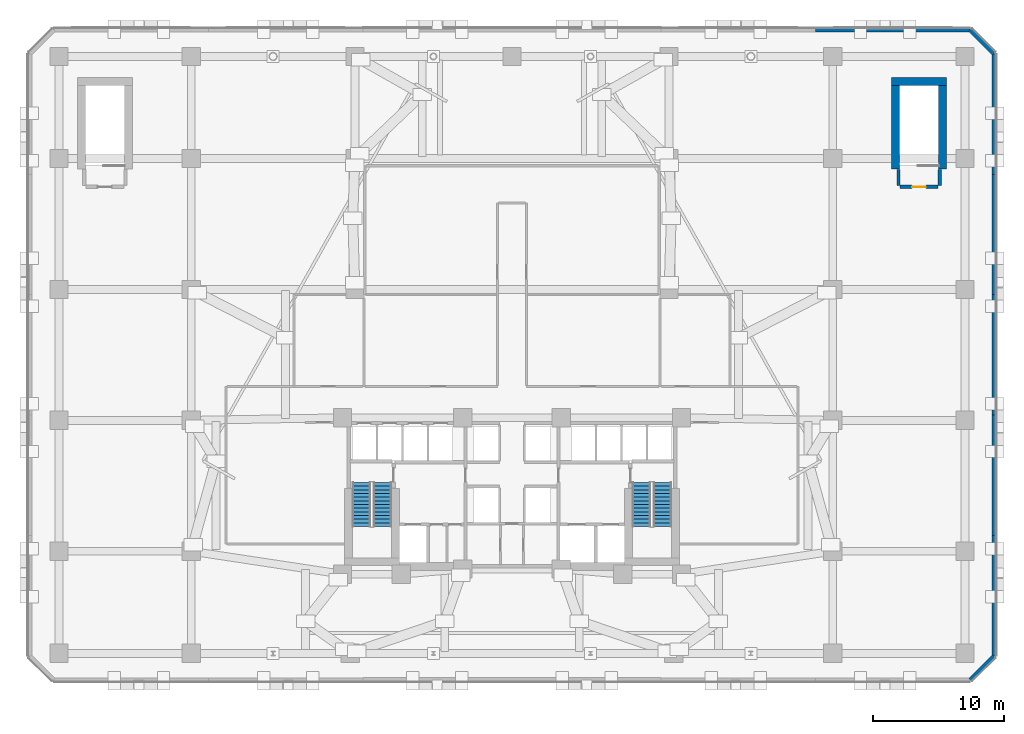
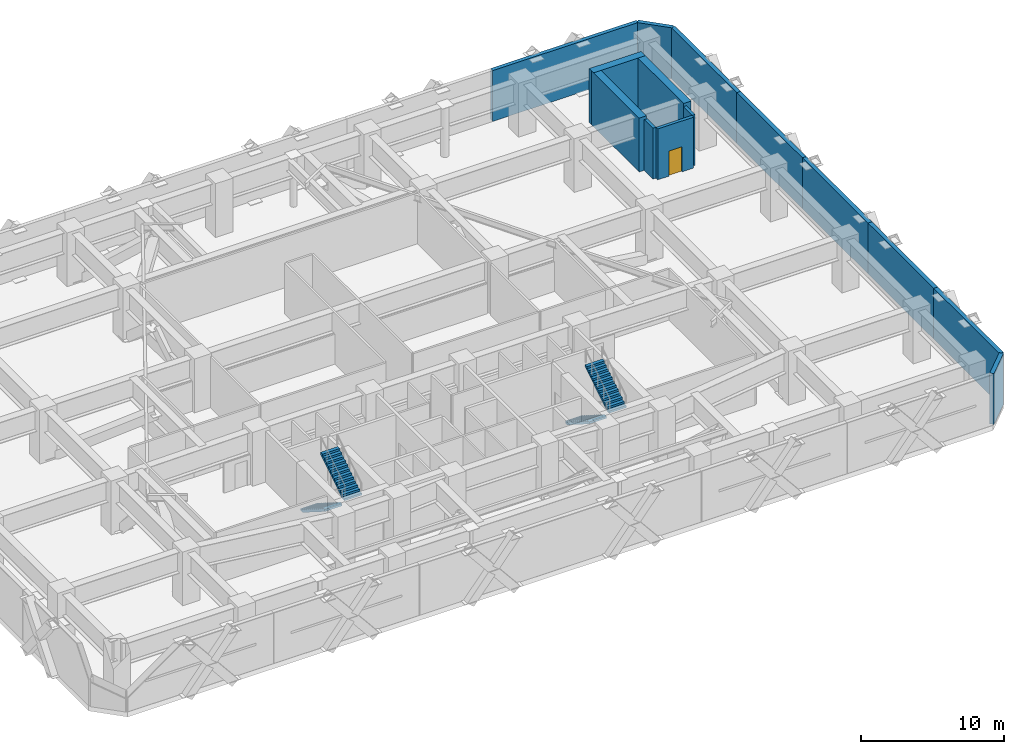
# One storey, part 11 of 14: 14 walls, 4 stair flights, 1 door, 1 opening, 2 elements without a shape of their own.
"""IFC4 building model written with IfcOpenShell, lengths in metres."""

from ifc_helpers import new_model, si_unit, direction, frame, frame_2d, origin, place, context, subcontext, project, spatial, polyline, rectangle, outline, extrude, material, layer, layer_set, type_object, element, fill, aggregate, save


model = new_model("IFC4")

# Units and contexts
model_context = context("Model", 3, precision=1e-05, world=origin(), true_north=direction((0.0, 1.0)))
body_context = subcontext(model_context, "Body", "Model", "MODEL_VIEW")
ifc_project = project(units=[si_unit("LENGTHUNIT", "METRE"), si_unit("AREAUNIT", "SQUARE_METRE"), si_unit("VOLUMEUNIT", "CUBIC_METRE"), si_unit("PLANEANGLEUNIT", "RADIAN"), si_unit("MASSUNIT", "GRAM", prefix="KILO")], contexts=[model_context])

# Site, building, storey
site_placement = place(None, origin())
site = spatial("IfcSite", under=ifc_project, at=site_placement, CompositionType="ELEMENT")
building_placement = place(site_placement, origin())
building = spatial("IfcBuilding", under=site, at=building_placement, Name="Quenlor Broadcast Tower", CompositionType="ELEMENT")
storey_placement = place(building_placement, frame((0.0, 0.0, 23.0)))
storey = spatial("IfcBuildingStorey", under=building, at=storey_placement, Name="L05", CompositionType="ELEMENT", Elevation=23.0)

# Walls
ifc_material_1 = material(Name="Concrete C65/80", Category="concrete")
ifc_layer_1 = layer(ifc_material_1, 0.60009765625)
ifc_layer_set_1 = layer_set([ifc_layer_1], Name="Core Concrete C65/80 Shear Wall 600")
wall_type_1 = type_object("IfcWallType", Name="Core Concrete C65/80 Shear Wall 600", PredefinedType="SHEAR", material=ifc_layer_set_1)
wall_1_placement = place(storey_placement, frame((29.0, 20.89990234375, 0.0), z_axis=(0.0, 0.0, 1.0), x_axis=(1.0, 0.0, 0.0)))
element("IfcWall", 1, at=wall_1_placement, inside=storey, type_object=wall_type_1, Name="L05 Core Shear Wall ST4-N", PredefinedType="SHEAR", context=body_context, shape_type="SweptSolid", body=[
    extrude(rectangle(XDim=4.199951171875, YDim=0.60009765625, at=frame_2d((2.10009765625, 0.0))), origin(), (0.0, 0.0, 1.0), 4.60009765625),
])
for number, where, z_axis, x_axis, name in (
    (2, (29.300048828125, 14.199951171875, 0.0), (0.0, 0.0, 1.0), (0.0, 1.0, 0.0), "L05 Core Shear Wall ST4-W"),
    (3, (32.89990234375, 14.199951171875, 0.0), (0.0, 0.0, 1.0), (0.0, 1.0, 0.0), "L05 Core Shear Wall ST4-E"),
):
    element("IfcWall", number, at=place(storey_placement, frame(where, z_axis=z_axis, x_axis=x_axis)), inside=storey, type_object=wall_type_1, Name=name, PredefinedType="SHEAR", context=body_context, shape_type="SweptSolid", body=[
        extrude(rectangle(XDim=6.699951171875, YDim=0.60009765625, at=frame_2d((3.35009765625, 0.0))), origin(), (0.0, 0.0, 1.0), 4.60009765625),
    ])

# Wall, opening, door
ifc_material_2 = material(Name="Concrete C40/50", Category="concrete")
ifc_layer_2 = layer(ifc_material_2, 0.25)
ifc_layer_set_2 = layer_set([ifc_layer_2], Name="Fire Rated Concrete C40/50 Core Wall 250")
wall_type_2 = type_object("IfcWallType", Name="Fire Rated Concrete C40/50 Core Wall 250", PredefinedType="PARTITIONING", material=ifc_layer_set_2)
wall_2_placement = place(storey_placement, frame((29.64990234375, 12.840087890625, 0.0), z_axis=(0.0, 0.0, 1.0), x_axis=(1.0, 0.0, 0.0)))
wall_2 = element("IfcWall", 4, at=wall_2_placement, inside=storey, type_object=wall_type_2, Name="L05 Interior Wall CW-ST4-S", PredefinedType="PARTITIONING", context=body_context, shape_type="SweptSolid", body=[
    extrude(rectangle(XDim=2.900146484375, YDim=0.25, at=frame_2d((1.4501953125, 0.0))), origin(), (0.0, 0.0, 1.0), 4.35009765625),
])
opening_placement = place(wall_2_placement, frame((0.919921875, 0.0, 0.0)))
opening = element("IfcOpeningElement", 5, at=opening_placement, cuts=wall_2, Name="Opening FD-1", PredefinedType="OPENING", context=body_context, shape_type="SweptSolid", body=[
    extrude(rectangle(XDim=1.050048828125, YDim=2.14990234375, at=frame_2d((0.52490234375, 1.074951171875))), frame((0.0, 0.135009765625, 0.0), z_axis=(0.0, -1.0, 0.0), x_axis=(1.0, 0.0, 0.0)), (0.0, 0.0, 1.0), 0.27001953125),
])
ifc_material_3 = material(Name="Fire Rated Steel Door Leaf", Category="steel")
door_type = type_object("IfcDoorType", Name="Fire Isolated Stair Door 1050x2150", OperationType="NOTDEFINED", PredefinedType="DOOR", material=ifc_material_3)
door_placement = place(opening_placement, origin())
door = element("IfcDoor", 6, at=door_placement, inside=storey, type_object=door_type, Name="L05 Door DR-ST4", OperationType="SINGLE_SWING_RIGHT", OverallHeight=2.14990234375, OverallWidth=1.050048828125, PredefinedType="DOOR", context=body_context, shape_type="SweptSolid", body=[
    extrude(rectangle(XDim=1.050048828125, YDim=2.14990234375, at=frame_2d((0.52490234375, 1.074951171875))), frame((0.0, 0.02490234375, 0.0), z_axis=(0.0, -1.0, 0.0), x_axis=(1.0, 0.0, 0.0)), (0.0, 0.0, 1.0), 0.050048828125),
])
fill(opening, door)

# Walls
for number, where, z_axis, x_axis, name in (
    (7, (29.52001953125, 12.9599609375, 0.0), (0.0, 0.0, 1.0), (0.0, 1.0, 0.0), "L05 Interior Wall CW-ST4-W1"),
    (8, (32.679931640625, 12.9599609375, 0.0), (0.0, 0.0, 1.0), (0.0, 1.0, 0.0), "L05 Interior Wall CW-ST4-E1"),
):
    element("IfcWall", number, at=place(storey_placement, frame(where, z_axis=z_axis, x_axis=x_axis)), inside=storey, type_object=wall_type_2, Name=name, PredefinedType="PARTITIONING", context=body_context, shape_type="SweptSolid", body=[
        extrude(rectangle(XDim=1.219970703125, YDim=0.25, at=frame_2d((0.60986328125, 0.0))), origin(), (0.0, 0.0, 1.0), 4.35009765625),
    ])
ifc_material_4 = material(Name="Precast concrete C40/50", Category="concrete")
ifc_layer_3 = layer(ifc_material_4, 0.320068359375)
ifc_layer_set_3 = layer_set([ifc_layer_3], Name="Station Podium Precast Concrete C40/50 Facade Wall 320")
wall_type_3 = type_object("IfcWallType", Name="Station Podium Precast Concrete C40/50 Facade Wall 320", PredefinedType="STANDARD", material=ifc_layer_set_3)
for number, where, z_axis, x_axis, name in (
    (9, (36.820068359375, 23.0, 0.0), (0.0, 0.0, 1.0), (0.0, -1.0, 0.0), "L05 Exterior Wall L05-EW-E1"),
    (10, (36.820068359375, 13.800048828125, 0.0), (0.0, 0.0, 1.0), (0.0, -1.0, 0.0), "L05 Exterior Wall L05-EW-E2"),
):
    element("IfcWall", number, at=place(storey_placement, frame(where, z_axis=z_axis, x_axis=x_axis)), inside=storey, type_object=wall_type_3, Name=name, PredefinedType="STANDARD", context=body_context, shape_type="SweptSolid", body=[
        extrude(rectangle(XDim=9.199951171875, YDim=0.320068359375, at=frame_2d((4.60009765625, 0.0))), origin(), (0.0, 0.0, 1.0), 4.35009765625),
    ])
wall_3_placement = place(storey_placement, frame((36.820068359375, 4.60009765625, 0.0), z_axis=(0.0, 0.0, 1.0), x_axis=(0.0, -1.0, 0.0)))
element("IfcWall", 11, at=wall_3_placement, inside=storey, type_object=wall_type_3, Name="L05 Exterior Wall L05-EW-E3", PredefinedType="STANDARD", context=body_context, shape_type="SweptSolid", body=[
    extrude(rectangle(XDim=9.2001953125, YDim=0.320068359375, at=frame_2d((4.60009765625, 0.0))), origin(), (0.0, 0.0, 1.0), 4.35009765625),
])
for number, where, z_axis, x_axis, name in (
    (12, (36.820068359375, -4.60009765625, 0.0), (0.0, 0.0, 1.0), (0.0, -1.0, 0.0), "L05 Exterior Wall L05-EW-E4"),
    (13, (36.820068359375, -13.800048828125, 0.0), (0.0, 0.0, 1.0), (0.0, -1.0, 0.0), "L05 Exterior Wall L05-EW-E5"),
):
    element("IfcWall", number, at=place(storey_placement, frame(where, z_axis=z_axis, x_axis=x_axis)), inside=storey, type_object=wall_type_3, Name=name, PredefinedType="STANDARD", context=body_context, shape_type="SweptSolid", body=[
        extrude(rectangle(XDim=9.199951171875, YDim=0.320068359375, at=frame_2d((4.60009765625, 0.0))), origin(), (0.0, 0.0, 1.0), 4.35009765625),
    ])
for number, where, z_axis, x_axis, name in (
    (14, (36.820068359375, -23.0, 0.0), (0.0, 0.0, 1.0), (-0.707106781187, -0.707106781187, 0.0), "L05 Exterior Wall L05-EW-CSE"),
    (15, (35.0, 24.820068359375, 0.0), (0.0, 0.0, 1.0), (0.707106781187, -0.707106781187, 0.0), "L05 Exterior Wall L05-EW-CNE"),
):
    element("IfcWall", number, at=place(storey_placement, frame(where, z_axis=z_axis, x_axis=x_axis)), inside=storey, type_object=wall_type_3, Name=name, PredefinedType="STANDARD", context=body_context, shape_type="SweptSolid", body=[
        extrude(rectangle(XDim=2.573974609375, YDim=0.320068359375, at=frame_2d((1.287109375, 0.0))), origin(), (0.0, 0.0, 1.0), 4.35009765625),
    ])
ifc_material_5 = material(Name="Precast concrete C40/50", Category="concrete")
ifc_layer_4 = layer(ifc_material_5, 0.300048828125)
ifc_layer_set_4 = layer_set([ifc_layer_4], Name="Terracotta Precast Concrete C40/50 Spandrel Wall 300")
wall_type_4 = type_object("IfcWallType", Name="Terracotta Precast Concrete C40/50 Spandrel Wall 300", PredefinedType="STANDARD", material=ifc_layer_set_4)
wall_4_placement = place(storey_placement, frame((23.199951171875, 24.820068359375, 0.0), z_axis=(0.0, 0.0, 1.0), x_axis=(1.0, 0.0, 0.0)))
element("IfcWall", 16, at=wall_4_placement, inside=storey, type_object=wall_type_4, Name="L05 Exterior Wall L05-EW-N5", PredefinedType="STANDARD", context=body_context, shape_type="SweptSolid", body=[
    extrude(rectangle(XDim=11.800048828125, YDim=0.300048828125, at=frame_2d((5.89990234375, 0.0))), origin(), (0.0, 0.0, 1.0), 4.35009765625),
])

# Stair, stair flights
ifc_material_6 = material(Name="Precast concrete C40/50", Category="concrete")
stair_type = type_object("IfcStairType", Name="Precast Concrete C40/50 Dogleg Stair H460", PredefinedType="HALF_TURN_STAIR", material=ifc_material_6)
stair_1_placement = place(storey_placement, origin())
stair_1 = element("IfcStair", 17, at=stair_1_placement, inside=storey, type_object=stair_type, Name="L05 West Core Fire-Isolated Exit Stair ST-1", PredefinedType="HALF_TURN_STAIR")
ifc_material_7 = material(Name="Precast concrete C40/50", Category="concrete")
ifc_layer_5 = layer(ifc_material_7, 0.177978515625)
ifc_layer_set_5 = layer_set([ifc_layer_5], Name="Precast Concrete C40/50 Stair Flight H460")
stair_flight_type = type_object("IfcStairFlightType", Name="Precast Concrete C40/50 Stair Flight H460", PredefinedType="STRAIGHT", material=ifc_layer_set_5)
stair_flight_1_placement = place(storey_placement, frame((-11.5, -9.75, 0.0), z_axis=(0.0, 0.0, 1.0), x_axis=(0.0, -1.0, 0.0)))
stair_flight_1 = element("IfcStairFlight", 18, at=stair_flight_1_placement, type_object=stair_flight_type, Name="ST-1 flight 1", NumberOfRisers=13, NumberOfTreads=12, PredefinedType="STRAIGHT", RiserHeight=0.176923077, TreadLength=0.28, context=body_context, shape_type="SweptSolid", body=[
    extrude(outline(polyline([(0.0, 0.0), (0.0, 0.177001953125), (0.280029296875, 0.177001953125), (0.280029296875, 0.353759765625), (0.56005859375, 0.353759765625), (0.56005859375, 0.53076171875), (0.840087890625, 0.53076171875), (0.840087890625, 0.707763671875), (1.1201171875, 0.707763671875), (1.1201171875, 0.884521484375), (1.39990234375, 0.884521484375), (1.39990234375, 1.0615234375), (1.679931640625, 1.0615234375), (1.679931640625, 1.238525390625), (1.9599609375, 1.238525390625), (1.9599609375, 1.415283203125), (2.239990234375, 1.415283203125), (2.239990234375, 1.59228515625), (2.52001953125, 1.59228515625), (2.52001953125, 1.769287109375), (2.800048828125, 1.769287109375), (2.800048828125, 1.946044921875), (3.080078125, 1.946044921875), (3.080078125, 2.123046875), (3.360107421875, 2.123046875), (3.360107421875, 2.300048828125), (3.360107421875, 1.94580078125), (0.280517578125, 0.0), (0.0, 0.0)])), frame((0.0, 0.699951171875, 0.0), z_axis=(0.0, -1.0, 0.0), x_axis=(1.0, 0.0, 0.0)), (0.0, 0.0, 1.0), 1.39990234375),
])
stair_flight_2_placement = place(storey_placement, frame((-9.89990234375, -13.110107421875, 2.300048828125), z_axis=(0.0, 0.0, 1.0), x_axis=(0.0, 1.0, 0.0)))
stair_flight_2 = element("IfcStairFlight", 19, at=stair_flight_2_placement, type_object=stair_flight_type, Name="ST-1 flight 2", NumberOfRisers=13, NumberOfTreads=12, PredefinedType="STRAIGHT", RiserHeight=0.176923077, TreadLength=0.28, context=body_context, shape_type="SweptSolid", body=[
    extrude(outline(polyline([(0.0, 0.0), (0.0, 0.177001953125), (0.280029296875, 0.177001953125), (0.280029296875, 0.353759765625), (0.56005859375, 0.353759765625), (0.56005859375, 0.53076171875), (0.840087890625, 0.53076171875), (0.840087890625, 0.707763671875), (1.1201171875, 0.707763671875), (1.1201171875, 0.884521484375), (1.39990234375, 0.884521484375), (1.39990234375, 1.0615234375), (1.679931640625, 1.0615234375), (1.679931640625, 1.238525390625), (1.9599609375, 1.238525390625), (1.9599609375, 1.415283203125), (2.239990234375, 1.415283203125), (2.239990234375, 1.59228515625), (2.52001953125, 1.59228515625), (2.52001953125, 1.769287109375), (2.800048828125, 1.769287109375), (2.800048828125, 1.946044921875), (3.080078125, 1.946044921875), (3.080078125, 2.123046875), (3.360107421875, 2.123046875), (3.360107421875, 2.300048828125), (3.360107421875, 1.94580078125), (0.280517578125, 0.0), (0.0, 0.0)])), frame((0.0, 0.699951171875, 0.0), z_axis=(0.0, -1.0, 0.0), x_axis=(1.0, 0.0, 0.0)), (0.0, 0.0, 1.0), 1.39990234375),
])
aggregate(stair_1, [stair_flight_1, stair_flight_2])

stair_2_placement = place(storey_placement, origin())
stair_2 = element("IfcStair", 20, at=stair_2_placement, inside=storey, type_object=stair_type, Name="L05 East Core Fire-Isolated Exit Stair ST-2", PredefinedType="HALF_TURN_STAIR")
stair_flight_3_placement = place(storey_placement, frame((9.89990234375, -9.75, 0.0), z_axis=(0.0, 0.0, 1.0), x_axis=(0.0, -1.0, 0.0)))
stair_flight_3 = element("IfcStairFlight", 21, at=stair_flight_3_placement, type_object=stair_flight_type, Name="ST-2 flight 1", NumberOfRisers=13, NumberOfTreads=12, PredefinedType="STRAIGHT", RiserHeight=0.176923077, TreadLength=0.28, context=body_context, shape_type="SweptSolid", body=[
    extrude(outline(polyline([(0.0, 0.0), (0.0, 0.177001953125), (0.280029296875, 0.177001953125), (0.280029296875, 0.353759765625), (0.56005859375, 0.353759765625), (0.56005859375, 0.53076171875), (0.840087890625, 0.53076171875), (0.840087890625, 0.707763671875), (1.1201171875, 0.707763671875), (1.1201171875, 0.884521484375), (1.39990234375, 0.884521484375), (1.39990234375, 1.0615234375), (1.679931640625, 1.0615234375), (1.679931640625, 1.238525390625), (1.9599609375, 1.238525390625), (1.9599609375, 1.415283203125), (2.239990234375, 1.415283203125), (2.239990234375, 1.59228515625), (2.52001953125, 1.59228515625), (2.52001953125, 1.769287109375), (2.800048828125, 1.769287109375), (2.800048828125, 1.946044921875), (3.080078125, 1.946044921875), (3.080078125, 2.123046875), (3.360107421875, 2.123046875), (3.360107421875, 2.300048828125), (3.360107421875, 1.94580078125), (0.280517578125, 0.0), (0.0, 0.0)])), frame((0.0, 0.699951171875, 0.0), z_axis=(0.0, -1.0, 0.0), x_axis=(1.0, 0.0, 0.0)), (0.0, 0.0, 1.0), 1.39990234375),
])
stair_flight_4_placement = place(storey_placement, frame((11.5, -13.110107421875, 2.300048828125), z_axis=(0.0, 0.0, 1.0), x_axis=(0.0, 1.0, 0.0)))
stair_flight_4 = element("IfcStairFlight", 22, at=stair_flight_4_placement, type_object=stair_flight_type, Name="ST-2 flight 2", NumberOfRisers=13, NumberOfTreads=12, PredefinedType="STRAIGHT", RiserHeight=0.176923077, TreadLength=0.28, context=body_context, shape_type="SweptSolid", body=[
    extrude(outline(polyline([(0.0, 0.0), (0.0, 0.177001953125), (0.280029296875, 0.177001953125), (0.280029296875, 0.353759765625), (0.56005859375, 0.353759765625), (0.56005859375, 0.53076171875), (0.840087890625, 0.53076171875), (0.840087890625, 0.707763671875), (1.1201171875, 0.707763671875), (1.1201171875, 0.884521484375), (1.39990234375, 0.884521484375), (1.39990234375, 1.0615234375), (1.679931640625, 1.0615234375), (1.679931640625, 1.238525390625), (1.9599609375, 1.238525390625), (1.9599609375, 1.415283203125), (2.239990234375, 1.415283203125), (2.239990234375, 1.59228515625), (2.52001953125, 1.59228515625), (2.52001953125, 1.769287109375), (2.800048828125, 1.769287109375), (2.800048828125, 1.946044921875), (3.080078125, 1.946044921875), (3.080078125, 2.123046875), (3.360107421875, 2.123046875), (3.360107421875, 2.300048828125), (3.360107421875, 1.94580078125), (0.280517578125, 0.0), (0.0, 0.0)])), frame((0.0, 0.699951171875, 0.0), z_axis=(0.0, -1.0, 0.0), x_axis=(1.0, 0.0, 0.0)), (0.0, 0.0, 1.0), 1.39990234375),
])
aggregate(stair_2, [stair_flight_3, stair_flight_4])

save(model, "model.ifc")
